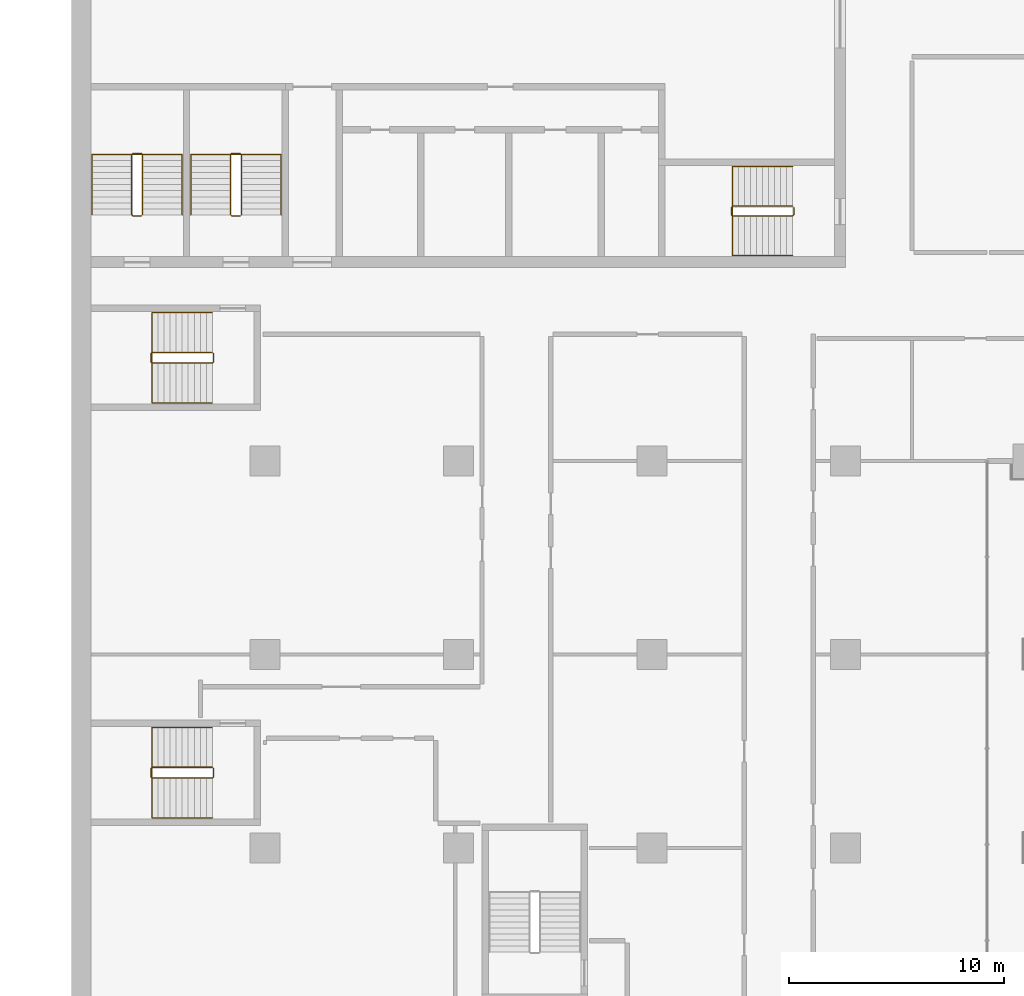
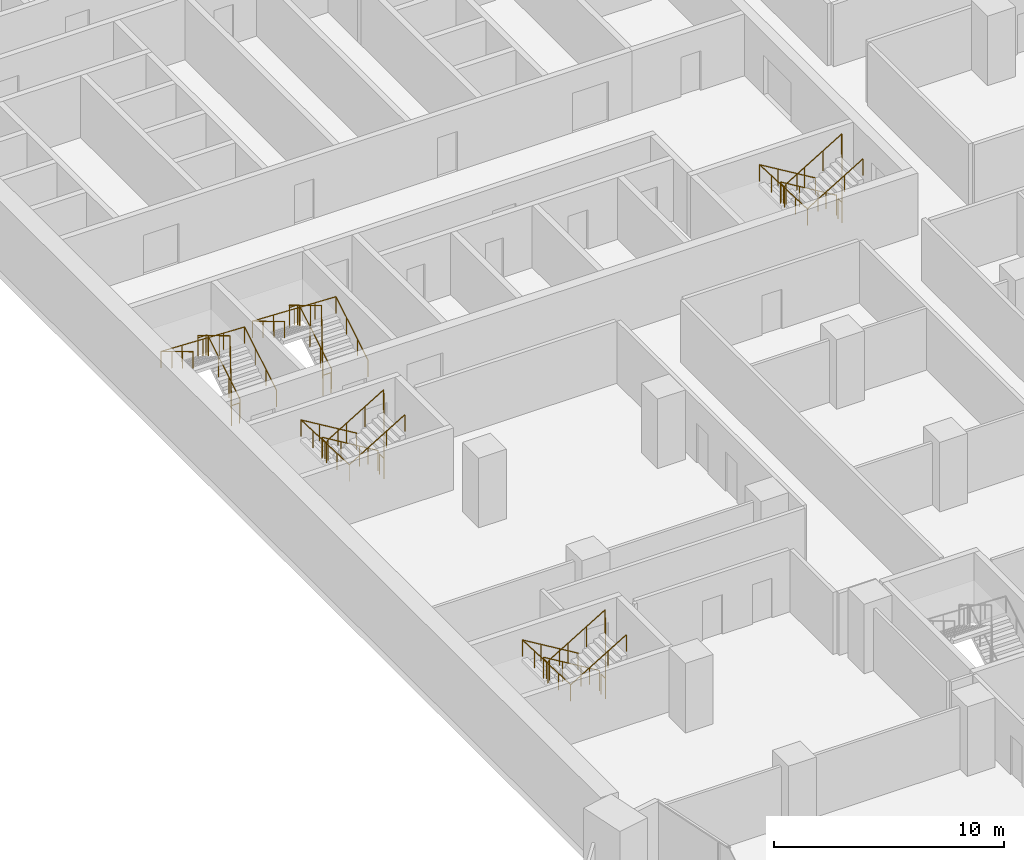
# One storey, part 26 of 29: 10 railings.
"""IFC4 building model written with IfcOpenShell, lengths in metres."""

from ifc_helpers import new_model, si_unit, direction, frame, origin, origin_2d, place, context, subcontext, project, spatial, circle, extrude, material, type_object, element, save


model = new_model("IFC4")

# Units and contexts
model_context = context("Model", 3, precision=1e-05, world=origin(), true_north=direction((0.0, 1.0)))
body_context = subcontext(model_context, "Body", "Model", "MODEL_VIEW")
ifc_project = project(units=[si_unit("LENGTHUNIT", "METRE"), si_unit("AREAUNIT", "SQUARE_METRE"), si_unit("VOLUMEUNIT", "CUBIC_METRE"), si_unit("PLANEANGLEUNIT", "RADIAN"), si_unit("MASSUNIT", "GRAM", prefix="KILO")], contexts=[model_context])

# Site, building, storey
site_placement = place(None, origin())
site = spatial("IfcSite", under=ifc_project, at=site_placement, CompositionType="ELEMENT")
building_placement = place(site_placement, origin())
building = spatial("IfcBuilding", under=site, at=building_placement, Name="Hunhe Ridgeline Campus", CompositionType="ELEMENT")
storey_placement = place(building_placement, frame((0.0, 0.0, 54.300048828125)))
storey = spatial("IfcBuildingStorey", under=building, at=storey_placement, Name="L12", CompositionType="ELEMENT", Elevation=54.300048828125)

# Railings
ifc_material_1 = material(Name="Stainless steel balustrade", Category="steel")
railing_type_1 = type_object("IfcRailingType", Name="Stair guard 1100 stainless", PredefinedType="GUARDRAIL", material=ifc_material_1)
railing_1_placement = place(storey_placement, frame((33.550048828125, 65.85009765625, 0.168212890625)))
element("IfcRailing", 1, at=railing_1_placement, inside=storey, type_object=railing_type_1, Name="L12 stair S2 guard", PredefinedType="GUARDRAIL", context=body_context, shape_type="SweptSolid", body=[
    extrude(circle(Radius=0.02392578125, at=origin_2d()), frame((0.0, 0.0, 1.076171875), z_axis=(-0.857275202839, 0.0, 0.514858452973), x_axis=(0.0, -1.0, 0.0)), (0.0, 0.0, 1.0), 3.26611328125),
    extrude(circle(Radius=0.02392578125, at=origin_2d()), frame((-2.800048828125, 0.0, 2.7578125), z_axis=(-0.707106781187, -0.707106781187, 0.0), x_axis=(0.707106781187, -0.707106781187, 0.0)), (0.0, 0.0, 1.0), 0.07080078125),
    extrude(circle(Radius=0.02392578125, at=origin_2d()), frame((-2.85009765625, -0.050048828125, 2.7578125), z_axis=(0.0, -1.0, 0.0), x_axis=(1.0, 0.0, 0.0)), (0.0, 0.0, 1.0), 0.35009765625),
    extrude(circle(Radius=0.02392578125, at=origin_2d()), frame((-2.85009765625, -0.400146484375, 2.7578125), z_axis=(0.274243871929, -0.274243871929, 0.92172696468), x_axis=(0.707106781187, 0.707106781187, 0.0)), (0.0, 0.0, 1.0), 0.1826171875),
    extrude(circle(Radius=0.02392578125, at=origin_2d()), frame((-2.800048828125, -0.4501953125, 2.92578125), z_axis=(0.857242210791, 0.0, 0.514913383045), x_axis=(0.0, 1.0, 0.0)), (0.0, 0.0, 1.0), 3.266357421875),
    extrude(circle(Radius=0.02392578125, at=origin_2d()), frame((0.0, -0.4501953125, 4.60791015625), z_axis=(0.013524414389, 0.013524414389, -0.999817073484), x_axis=(-0.707106781187, 0.707106781187, 0.0)), (0.0, 0.0, 1.0), 3.70068359375),
    extrude(circle(Radius=0.02392578125, at=origin_2d()), frame((0.050048828125, -0.400146484375, 0.90771484375), z_axis=(0.0, 1.0, 0.0), x_axis=(-1.0, 0.0, 0.0)), (0.0, 0.0, 1.0), 0.35009765625),
    extrude(circle(Radius=0.02099609375, at=origin_2d()), origin(), (0.0, 0.0, 1.0), 1.052001953125),
    extrude(circle(Radius=0.02099609375, at=origin_2d()), frame((-0.933349609375, 0.0, 0.560546875)), (0.0, 0.0, 1.0), 1.052001953125),
    extrude(circle(Radius=0.02099609375, at=origin_2d()), frame((-1.86669921875, 0.0, 1.12109375)), (0.0, 0.0, 1.0), 1.052001953125),
    extrude(circle(Radius=0.02099609375, at=origin_2d()), frame((-2.800048828125, 0.0, 1.681640625)), (0.0, 0.0, 1.0), 1.052001953125),
    extrude(circle(Radius=0.02099609375, at=origin_2d()), frame((-2.85009765625, -0.050048828125, 1.681640625)), (0.0, 0.0, 1.0), 1.052001953125),
    extrude(circle(Radius=0.02099609375, at=origin_2d()), frame((-2.85009765625, -0.400146484375, 1.681640625)), (0.0, 0.0, 1.0), 1.052001953125),
    extrude(circle(Radius=0.02099609375, at=origin_2d()), frame((-2.800048828125, -0.4501953125, 1.849853515625)), (0.0, 0.0, 1.0), 1.052001953125),
    extrude(circle(Radius=0.02099609375, at=origin_2d()), frame((-1.86669921875, -0.4501953125, 2.410400390625)), (0.0, 0.0, 1.0), 1.052001953125),
    extrude(circle(Radius=0.02099609375, at=origin_2d()), frame((-0.933349609375, -0.4501953125, 2.97119140625)), (0.0, 0.0, 1.0), 1.052001953125),
    extrude(circle(Radius=0.02099609375, at=origin_2d()), frame((0.0, -0.4501953125, 3.53173828125)), (0.0, 0.0, 1.0), 1.052001953125),
    extrude(circle(Radius=0.02099609375, at=origin_2d()), frame((0.012451171875, -0.437744140625, 2.606689453125)), (0.0, 0.0, 1.0), 1.052001953125),
    extrude(circle(Radius=0.02099609375, at=origin_2d()), frame((0.02490234375, -0.42529296875, 1.681640625)), (0.0, 0.0, 1.0), 1.052001953125),
    extrude(circle(Radius=0.02099609375, at=origin_2d()), frame((0.03759765625, -0.41259765625, 0.7568359375)), (0.0, 0.0, 1.0), 1.052001953125),
    extrude(circle(Radius=0.02099609375, at=origin_2d()), frame((0.050048828125, -0.400146484375, -0.168212890625)), (0.0, 0.0, 1.0), 1.052001953125),
    extrude(circle(Radius=0.02099609375, at=origin_2d()), frame((0.050048828125, -0.050048828125, -0.168212890625)), (0.0, 0.0, 1.0), 1.052001953125),
])
railing_2_placement = place(storey_placement, frame((3.300048828125, 65.449951171875, 0.168212890625)))
element("IfcRailing", 2, at=railing_2_placement, inside=storey, type_object=railing_type_1, Name="L12 stair S3 guard", PredefinedType="GUARDRAIL", context=body_context, shape_type="SweptSolid", body=[
    extrude(circle(Radius=0.02392578125, at=origin_2d()), frame((0.0, 0.0, 1.076171875), z_axis=(0.0, 0.857275202839, 0.514858452973), x_axis=(-1.0, 0.0, 0.0)), (0.0, 0.0, 1.0), 3.26611328125),
    extrude(circle(Radius=0.02392578125, at=origin_2d()), frame((0.0, 2.800048828125, 2.7578125), z_axis=(-0.707106781187, 0.707106781187, 0.0), x_axis=(-0.707106781187, -0.707106781187, 0.0)), (0.0, 0.0, 1.0), 0.07080078125),
    extrude(circle(Radius=0.02392578125, at=origin_2d()), frame((-0.050048828125, 2.85009765625, 2.7578125), z_axis=(-1.0, 0.0, 0.0), x_axis=(0.0, -1.0, 0.0)), (0.0, 0.0, 1.0), 0.39990234375),
    extrude(circle(Radius=0.02392578125, at=origin_2d()), frame((-0.449951171875, 2.85009765625, 2.7578125), z_axis=(-0.274243871929, -0.274243871929, 0.92172696468), x_axis=(0.707106781187, -0.707106781187, 0.0)), (0.0, 0.0, 1.0), 0.1826171875),
    extrude(circle(Radius=0.02392578125, at=origin_2d()), frame((-0.5, 2.800048828125, 2.92578125), z_axis=(0.0, -0.857242210791, 0.514913383045), x_axis=(1.0, 0.0, 0.0)), (0.0, 0.0, 1.0), 3.266357421875),
    extrude(circle(Radius=0.02392578125, at=origin_2d()), frame((-0.5, 0.0, 4.60791015625), z_axis=(0.013524414389, -0.013524414389, -0.999817073484), x_axis=(0.707106781187, 0.707106781187, 0.0)), (0.0, 0.0, 1.0), 3.70068359375),
    extrude(circle(Radius=0.02392578125, at=origin_2d()), frame((-0.449951171875, -0.050048828125, 0.90771484375), z_axis=(1.0, 0.0, 0.0), x_axis=(0.0, 1.0, 0.0)), (0.0, 0.0, 1.0), 0.39990234375),
    extrude(circle(Radius=0.02099609375, at=origin_2d()), origin(), (0.0, 0.0, 1.0), 1.052001953125),
    extrude(circle(Radius=0.02099609375, at=origin_2d()), frame((0.0, 0.933349609375, 0.560546875)), (0.0, 0.0, 1.0), 1.052001953125),
    extrude(circle(Radius=0.02099609375, at=origin_2d()), frame((0.0, 1.86669921875, 1.12109375)), (0.0, 0.0, 1.0), 1.052001953125),
    extrude(circle(Radius=0.02099609375, at=origin_2d()), frame((0.0, 2.800048828125, 1.681640625)), (0.0, 0.0, 1.0), 1.052001953125),
    extrude(circle(Radius=0.02099609375, at=origin_2d()), frame((-0.050048828125, 2.85009765625, 1.681640625)), (0.0, 0.0, 1.0), 1.052001953125),
    extrude(circle(Radius=0.02099609375, at=origin_2d()), frame((-0.449951171875, 2.85009765625, 1.681640625)), (0.0, 0.0, 1.0), 1.052001953125),
    extrude(circle(Radius=0.02099609375, at=origin_2d()), frame((-0.5, 2.800048828125, 1.849853515625)), (0.0, 0.0, 1.0), 1.052001953125),
    extrude(circle(Radius=0.02099609375, at=origin_2d()), frame((-0.5, 1.86669921875, 2.410400390625)), (0.0, 0.0, 1.0), 1.052001953125),
    extrude(circle(Radius=0.02099609375, at=origin_2d()), frame((-0.5, 0.933349609375, 2.97119140625)), (0.0, 0.0, 1.0), 1.052001953125),
    extrude(circle(Radius=0.02099609375, at=origin_2d()), frame((-0.5, 0.0, 3.53173828125)), (0.0, 0.0, 1.0), 1.052001953125),
    extrude(circle(Radius=0.02099609375, at=origin_2d()), frame((-0.487548828125, -0.012451171875, 2.606689453125)), (0.0, 0.0, 1.0), 1.052001953125),
    extrude(circle(Radius=0.02099609375, at=origin_2d()), frame((-0.47509765625, -0.02490234375, 1.681640625)), (0.0, 0.0, 1.0), 1.052001953125),
    extrude(circle(Radius=0.02099609375, at=origin_2d()), frame((-0.46240234375, -0.03759765625, 0.7568359375)), (0.0, 0.0, 1.0), 1.052001953125),
    extrude(circle(Radius=0.02099609375, at=origin_2d()), frame((-0.449951171875, -0.050048828125, -0.168212890625)), (0.0, 0.0, 1.0), 1.052001953125),
    extrude(circle(Radius=0.02099609375, at=origin_2d()), frame((-0.050048828125, -0.050048828125, -0.168212890625)), (0.0, 0.0, 1.0), 1.052001953125),
])
railing_3_placement = place(storey_placement, frame((7.89990234375, 65.449951171875, 0.168212890625)))
element("IfcRailing", 3, at=railing_3_placement, inside=storey, type_object=railing_type_1, Name="L12 stair S4 guard", PredefinedType="GUARDRAIL", context=body_context, shape_type="SweptSolid", body=[
    extrude(circle(Radius=0.02392578125, at=origin_2d()), frame((0.0, 0.0, 1.076171875), z_axis=(0.0, 0.857275202839, 0.514858452973), x_axis=(-1.0, 0.0, 0.0)), (0.0, 0.0, 1.0), 3.26611328125),
    extrude(circle(Radius=0.02392578125, at=origin_2d()), frame((0.0, 2.800048828125, 2.7578125), z_axis=(-0.705375805398, 0.708833529934, 0.0), x_axis=(-0.708833529934, -0.705375805398, 0.0)), (0.0, 0.0, 1.0), 0.070556640625),
    extrude(circle(Radius=0.02392578125, at=origin_2d()), frame((-0.0498046875, 2.85009765625, 2.7578125), z_axis=(-1.0, 0.0, 0.0), x_axis=(0.0, -1.0, 0.0)), (0.0, 0.0, 1.0), 0.400146484375),
    extrude(circle(Radius=0.02392578125, at=origin_2d()), frame((-0.449951171875, 2.85009765625, 2.7578125), z_axis=(-0.274243871929, -0.274243871929, 0.92172696468), x_axis=(0.707106781187, -0.707106781187, 0.0)), (0.0, 0.0, 1.0), 0.1826171875),
    extrude(circle(Radius=0.02392578125, at=origin_2d()), frame((-0.5, 2.800048828125, 2.92578125), z_axis=(0.0, -0.857242210791, 0.514913383045), x_axis=(1.0, 0.0, 0.0)), (0.0, 0.0, 1.0), 3.266357421875),
    extrude(circle(Radius=0.02392578125, at=origin_2d()), frame((-0.5, 0.0, 4.60791015625), z_axis=(0.013524414389, -0.013524414389, -0.999817073484), x_axis=(0.707106781187, 0.707106781187, 0.0)), (0.0, 0.0, 1.0), 3.70068359375),
    extrude(circle(Radius=0.02392578125, at=origin_2d()), frame((-0.449951171875, -0.050048828125, 0.90771484375), z_axis=(1.0, 0.0, 0.0), x_axis=(0.0, 1.0, 0.0)), (0.0, 0.0, 1.0), 0.400146484375),
    extrude(circle(Radius=0.02099609375, at=origin_2d()), origin(), (0.0, 0.0, 1.0), 1.052001953125),
    extrude(circle(Radius=0.02099609375, at=origin_2d()), frame((0.0, 0.933349609375, 0.560546875)), (0.0, 0.0, 1.0), 1.052001953125),
    extrude(circle(Radius=0.02099609375, at=origin_2d()), frame((0.0, 1.86669921875, 1.12109375)), (0.0, 0.0, 1.0), 1.052001953125),
    extrude(circle(Radius=0.02099609375, at=origin_2d()), frame((0.0, 2.800048828125, 1.681640625)), (0.0, 0.0, 1.0), 1.052001953125),
    extrude(circle(Radius=0.02099609375, at=origin_2d()), frame((-0.0498046875, 2.85009765625, 1.681640625)), (0.0, 0.0, 1.0), 1.052001953125),
    extrude(circle(Radius=0.02099609375, at=origin_2d()), frame((-0.449951171875, 2.85009765625, 1.681640625)), (0.0, 0.0, 1.0), 1.052001953125),
    extrude(circle(Radius=0.02099609375, at=origin_2d()), frame((-0.5, 2.800048828125, 1.849853515625)), (0.0, 0.0, 1.0), 1.052001953125),
    extrude(circle(Radius=0.02099609375, at=origin_2d()), frame((-0.5, 1.86669921875, 2.410400390625)), (0.0, 0.0, 1.0), 1.052001953125),
    extrude(circle(Radius=0.02099609375, at=origin_2d()), frame((-0.5, 0.933349609375, 2.97119140625)), (0.0, 0.0, 1.0), 1.052001953125),
    extrude(circle(Radius=0.02099609375, at=origin_2d()), frame((-0.5, 0.0, 3.53173828125)), (0.0, 0.0, 1.0), 1.052001953125),
    extrude(circle(Radius=0.02099609375, at=origin_2d()), frame((-0.487548828125, -0.012451171875, 2.606689453125)), (0.0, 0.0, 1.0), 1.052001953125),
    extrude(circle(Radius=0.02099609375, at=origin_2d()), frame((-0.47509765625, -0.02490234375, 1.681640625)), (0.0, 0.0, 1.0), 1.052001953125),
    extrude(circle(Radius=0.02099609375, at=origin_2d()), frame((-0.46240234375, -0.03759765625, 0.7568359375)), (0.0, 0.0, 1.0), 1.052001953125),
    extrude(circle(Radius=0.02099609375, at=origin_2d()), frame((-0.449951171875, -0.050048828125, -0.168212890625)), (0.0, 0.0, 1.0), 1.052001953125),
    extrude(circle(Radius=0.02099609375, at=origin_2d()), frame((-0.0498046875, -0.050048828125, -0.168212890625)), (0.0, 0.0, 1.0), 1.052001953125),
])
railing_4_placement = place(storey_placement, frame((6.550048828125, 39.75, 0.168212890625)))
element("IfcRailing", 4, at=railing_4_placement, inside=storey, type_object=railing_type_1, Name="L12 stair W1 guard", PredefinedType="GUARDRAIL", context=body_context, shape_type="SweptSolid", body=[
    extrude(circle(Radius=0.02392578125, at=origin_2d()), frame((0.0, 0.0, 1.076171875), z_axis=(-0.857275202839, 0.0, 0.514858452973), x_axis=(0.0, -1.0, 0.0)), (0.0, 0.0, 1.0), 3.26611328125),
    extrude(circle(Radius=0.02392578125, at=origin_2d()), frame((-2.800048828125, 0.0, 2.7578125), z_axis=(-0.707106781187, -0.707106781187, 0.0), x_axis=(0.707106781187, -0.707106781187, 0.0)), (0.0, 0.0, 1.0), 0.07080078125),
    extrude(circle(Radius=0.02392578125, at=origin_2d()), frame((-2.85009765625, -0.050048828125, 2.7578125), z_axis=(0.0, -1.0, 0.0), x_axis=(1.0, 0.0, 0.0)), (0.0, 0.0, 1.0), 0.39990234375),
    extrude(circle(Radius=0.02392578125, at=origin_2d()), frame((-2.85009765625, -0.449951171875, 2.7578125), z_axis=(0.274243871929, -0.274243871929, 0.92172696468), x_axis=(0.707106781187, 0.707106781187, 0.0)), (0.0, 0.0, 1.0), 0.1826171875),
    extrude(circle(Radius=0.02392578125, at=origin_2d()), frame((-2.800048828125, -0.5, 2.92578125), z_axis=(0.857242210791, 0.0, 0.514913383045), x_axis=(0.0, 1.0, 0.0)), (0.0, 0.0, 1.0), 3.266357421875),
    extrude(circle(Radius=0.02392578125, at=origin_2d()), frame((0.0, -0.5, 4.60791015625), z_axis=(0.013524414389, 0.013524414389, -0.999817073484), x_axis=(-0.707106781187, 0.707106781187, 0.0)), (0.0, 0.0, 1.0), 3.70068359375),
    extrude(circle(Radius=0.02392578125, at=origin_2d()), frame((0.050048828125, -0.449951171875, 0.90771484375), z_axis=(0.0, 1.0, 0.0), x_axis=(-1.0, 0.0, 0.0)), (0.0, 0.0, 1.0), 0.39990234375),
    extrude(circle(Radius=0.02099609375, at=origin_2d()), origin(), (0.0, 0.0, 1.0), 1.052001953125),
    extrude(circle(Radius=0.02099609375, at=origin_2d()), frame((-0.933349609375, 0.0, 0.560546875)), (0.0, 0.0, 1.0), 1.052001953125),
    extrude(circle(Radius=0.02099609375, at=origin_2d()), frame((-1.86669921875, 0.0, 1.12109375)), (0.0, 0.0, 1.0), 1.052001953125),
    extrude(circle(Radius=0.02099609375, at=origin_2d()), frame((-2.800048828125, 0.0, 1.681640625)), (0.0, 0.0, 1.0), 1.052001953125),
    extrude(circle(Radius=0.02099609375, at=origin_2d()), frame((-2.85009765625, -0.050048828125, 1.681640625)), (0.0, 0.0, 1.0), 1.052001953125),
    extrude(circle(Radius=0.02099609375, at=origin_2d()), frame((-2.85009765625, -0.449951171875, 1.681640625)), (0.0, 0.0, 1.0), 1.052001953125),
    extrude(circle(Radius=0.02099609375, at=origin_2d()), frame((-2.800048828125, -0.5, 1.849853515625)), (0.0, 0.0, 1.0), 1.052001953125),
    extrude(circle(Radius=0.02099609375, at=origin_2d()), frame((-1.86669921875, -0.5, 2.410400390625)), (0.0, 0.0, 1.0), 1.052001953125),
    extrude(circle(Radius=0.02099609375, at=origin_2d()), frame((-0.933349609375, -0.5, 2.97119140625)), (0.0, 0.0, 1.0), 1.052001953125),
    extrude(circle(Radius=0.02099609375, at=origin_2d()), frame((0.0, -0.5, 3.53173828125)), (0.0, 0.0, 1.0), 1.052001953125),
    extrude(circle(Radius=0.02099609375, at=origin_2d()), frame((0.012451171875, -0.487548828125, 2.606689453125)), (0.0, 0.0, 1.0), 1.052001953125),
    extrude(circle(Radius=0.02099609375, at=origin_2d()), frame((0.02490234375, -0.47509765625, 1.681640625)), (0.0, 0.0, 1.0), 1.052001953125),
    extrude(circle(Radius=0.02099609375, at=origin_2d()), frame((0.03759765625, -0.46240234375, 0.7568359375)), (0.0, 0.0, 1.0), 1.052001953125),
    extrude(circle(Radius=0.02099609375, at=origin_2d()), frame((0.050048828125, -0.449951171875, -0.168212890625)), (0.0, 0.0, 1.0), 1.052001953125),
    extrude(circle(Radius=0.02099609375, at=origin_2d()), frame((0.050048828125, -0.050048828125, -0.168212890625)), (0.0, 0.0, 1.0), 1.052001953125),
])
railing_5_placement = place(storey_placement, frame((6.550048828125, 59.050048828125, 0.168212890625)))
element("IfcRailing", 5, at=railing_5_placement, inside=storey, type_object=railing_type_1, Name="L12 stair W2 guard", PredefinedType="GUARDRAIL", context=body_context, shape_type="SweptSolid", body=[
    extrude(circle(Radius=0.02392578125, at=origin_2d()), frame((0.0, 0.0, 1.076171875), z_axis=(-0.857275202839, 0.0, 0.514858452973), x_axis=(0.0, -1.0, 0.0)), (0.0, 0.0, 1.0), 3.26611328125),
    extrude(circle(Radius=0.02392578125, at=origin_2d()), frame((-2.800048828125, 0.0, 2.7578125), z_axis=(-0.707106781187, -0.707106781187, 0.0), x_axis=(0.707106781187, -0.707106781187, 0.0)), (0.0, 0.0, 1.0), 0.07080078125),
    extrude(circle(Radius=0.02392578125, at=origin_2d()), frame((-2.85009765625, -0.050048828125, 2.7578125), z_axis=(0.0, -1.0, 0.0), x_axis=(1.0, 0.0, 0.0)), (0.0, 0.0, 1.0), 0.39990234375),
    extrude(circle(Radius=0.02392578125, at=origin_2d()), frame((-2.85009765625, -0.449951171875, 2.7578125), z_axis=(0.274243871929, -0.274243871929, 0.92172696468), x_axis=(0.707106781187, 0.707106781187, 0.0)), (0.0, 0.0, 1.0), 0.1826171875),
    extrude(circle(Radius=0.02392578125, at=origin_2d()), frame((-2.800048828125, -0.5, 2.92578125), z_axis=(0.857242210791, 0.0, 0.514913383045), x_axis=(0.0, 1.0, 0.0)), (0.0, 0.0, 1.0), 3.266357421875),
    extrude(circle(Radius=0.02392578125, at=origin_2d()), frame((0.0, -0.5, 4.60791015625), z_axis=(0.013524414389, 0.013524414389, -0.999817073484), x_axis=(-0.707106781187, 0.707106781187, 0.0)), (0.0, 0.0, 1.0), 3.70068359375),
    extrude(circle(Radius=0.02392578125, at=origin_2d()), frame((0.050048828125, -0.449951171875, 0.90771484375), z_axis=(0.0, 1.0, 0.0), x_axis=(-1.0, 0.0, 0.0)), (0.0, 0.0, 1.0), 0.39990234375),
    extrude(circle(Radius=0.02099609375, at=origin_2d()), origin(), (0.0, 0.0, 1.0), 1.052001953125),
    extrude(circle(Radius=0.02099609375, at=origin_2d()), frame((-0.933349609375, 0.0, 0.560546875)), (0.0, 0.0, 1.0), 1.052001953125),
    extrude(circle(Radius=0.02099609375, at=origin_2d()), frame((-1.86669921875, 0.0, 1.12109375)), (0.0, 0.0, 1.0), 1.052001953125),
    extrude(circle(Radius=0.02099609375, at=origin_2d()), frame((-2.800048828125, 0.0, 1.681640625)), (0.0, 0.0, 1.0), 1.052001953125),
    extrude(circle(Radius=0.02099609375, at=origin_2d()), frame((-2.85009765625, -0.050048828125, 1.681640625)), (0.0, 0.0, 1.0), 1.052001953125),
    extrude(circle(Radius=0.02099609375, at=origin_2d()), frame((-2.85009765625, -0.449951171875, 1.681640625)), (0.0, 0.0, 1.0), 1.052001953125),
    extrude(circle(Radius=0.02099609375, at=origin_2d()), frame((-2.800048828125, -0.5, 1.849853515625)), (0.0, 0.0, 1.0), 1.052001953125),
    extrude(circle(Radius=0.02099609375, at=origin_2d()), frame((-1.86669921875, -0.5, 2.410400390625)), (0.0, 0.0, 1.0), 1.052001953125),
    extrude(circle(Radius=0.02099609375, at=origin_2d()), frame((-0.933349609375, -0.5, 2.97119140625)), (0.0, 0.0, 1.0), 1.052001953125),
    extrude(circle(Radius=0.02099609375, at=origin_2d()), frame((0.0, -0.5, 3.53173828125)), (0.0, 0.0, 1.0), 1.052001953125),
    extrude(circle(Radius=0.02099609375, at=origin_2d()), frame((0.012451171875, -0.487548828125, 2.606689453125)), (0.0, 0.0, 1.0), 1.052001953125),
    extrude(circle(Radius=0.02099609375, at=origin_2d()), frame((0.02490234375, -0.47509765625, 1.681640625)), (0.0, 0.0, 1.0), 1.052001953125),
    extrude(circle(Radius=0.02099609375, at=origin_2d()), frame((0.03759765625, -0.46240234375, 0.7568359375)), (0.0, 0.0, 1.0), 1.052001953125),
    extrude(circle(Radius=0.02099609375, at=origin_2d()), frame((0.050048828125, -0.449951171875, -0.168212890625)), (0.0, 0.0, 1.0), 1.052001953125),
    extrude(circle(Radius=0.02099609375, at=origin_2d()), frame((0.050048828125, -0.050048828125, -0.168212890625)), (0.0, 0.0, 1.0), 1.052001953125),
])
ifc_material_2 = material(Name="Stainless steel handrail", Category="steel")
railing_type_2 = type_object("IfcRailingType", Name="Stair handrail 900 stainless", PredefinedType="HANDRAIL", material=ifc_material_2)
railing_6_placement = place(storey_placement, frame((33.550048828125, 67.699951171875, 0.168212890625)))
element("IfcRailing", 6, at=railing_6_placement, inside=storey, type_object=railing_type_2, Name="L12 stair S2 handrail", PredefinedType="HANDRAIL", context=body_context, shape_type="SweptSolid", body=[
    extrude(circle(Radius=0.02392578125, at=origin_2d()), frame((0.0, 0.0, 0.8759765625), z_axis=(-0.857275202839, 0.0, 0.514858452973), x_axis=(0.0, -1.0, 0.0)), (0.0, 0.0, 1.0), 3.26611328125),
    extrude(circle(Radius=0.02392578125, at=origin_2d()), frame((-2.800048828125, 0.0, 2.5576171875), z_axis=(0.0, -0.99917950104, 0.040500922239), x_axis=(1.0, 0.0, 0.0)), (0.0, 0.0, 1.0), 4.1533203125),
    extrude(circle(Radius=0.02392578125, at=origin_2d()), frame((-2.800048828125, -4.14990234375, 2.7255859375), z_axis=(0.857242210791, 0.0, 0.514913383045), x_axis=(0.0, 1.0, 0.0)), (0.0, 0.0, 1.0), 3.266357421875),
    extrude(circle(Radius=0.02099609375, at=origin_2d()), origin(), (0.0, 0.0, 1.0), 0.851806640625),
    extrude(circle(Radius=0.02099609375, at=origin_2d()), frame((-0.933349609375, 0.0, 0.560546875)), (0.0, 0.0, 1.0), 0.851806640625),
    extrude(circle(Radius=0.02099609375, at=origin_2d()), frame((-1.86669921875, 0.0, 1.12109375)), (0.0, 0.0, 1.0), 0.851806640625),
    extrude(circle(Radius=0.02099609375, at=origin_2d()), frame((-2.800048828125, 0.0, 1.681640625)), (0.0, 0.0, 1.0), 0.851806640625),
    extrude(circle(Radius=0.02099609375, at=origin_2d()), frame((-2.800048828125, -1.03759765625, 1.7236328125)), (0.0, 0.0, 1.0), 0.851806640625),
    extrude(circle(Radius=0.02099609375, at=origin_2d()), frame((-2.800048828125, -2.074951171875, 1.765625)), (0.0, 0.0, 1.0), 0.851806640625),
    extrude(circle(Radius=0.02099609375, at=origin_2d()), frame((-2.800048828125, -3.1123046875, 1.807861328125)), (0.0, 0.0, 1.0), 0.851806640625),
    extrude(circle(Radius=0.02099609375, at=origin_2d()), frame((-2.800048828125, -4.14990234375, 1.849853515625)), (0.0, 0.0, 1.0), 0.851806640625),
    extrude(circle(Radius=0.02099609375, at=origin_2d()), frame((-1.86669921875, -4.14990234375, 2.410400390625)), (0.0, 0.0, 1.0), 0.851806640625),
    extrude(circle(Radius=0.02099609375, at=origin_2d()), frame((-0.933349609375, -4.14990234375, 2.97119140625)), (0.0, 0.0, 1.0), 0.851806640625),
    extrude(circle(Radius=0.02099609375, at=origin_2d()), frame((0.0, -4.14990234375, 3.53173828125)), (0.0, 0.0, 1.0), 0.851806640625),
])
railing_7_placement = place(storey_placement, frame((5.14990234375, 65.449951171875, 0.168212890625)))
element("IfcRailing", 7, at=railing_7_placement, inside=storey, type_object=railing_type_2, Name="L12 stair S3 handrail", PredefinedType="HANDRAIL", context=body_context, shape_type="SweptSolid", body=[
    extrude(circle(Radius=0.02392578125, at=origin_2d()), frame((0.0, 0.0, 0.8759765625), z_axis=(0.0, 0.857275202839, 0.514858452973), x_axis=(-1.0, 0.0, 0.0)), (0.0, 0.0, 1.0), 3.26611328125),
    extrude(circle(Radius=0.02392578125, at=origin_2d()), frame((0.0, 2.800048828125, 2.5576171875), z_axis=(-0.999198916169, 0.0, 0.040019069537), x_axis=(0.0, -1.0, 0.0)), (0.0, 0.0, 1.0), 4.203369140625),
    extrude(circle(Radius=0.02392578125, at=origin_2d()), frame((-4.199951171875, 2.800048828125, 2.7255859375), z_axis=(0.0, -0.857242210791, 0.514913383045), x_axis=(1.0, 0.0, 0.0)), (0.0, 0.0, 1.0), 3.266357421875),
    extrude(circle(Radius=0.02099609375, at=origin_2d()), origin(), (0.0, 0.0, 1.0), 0.851806640625),
    extrude(circle(Radius=0.02099609375, at=origin_2d()), frame((0.0, 0.933349609375, 0.560546875)), (0.0, 0.0, 1.0), 0.851806640625),
    extrude(circle(Radius=0.02099609375, at=origin_2d()), frame((0.0, 1.86669921875, 1.12109375)), (0.0, 0.0, 1.0), 0.851806640625),
    extrude(circle(Radius=0.02099609375, at=origin_2d()), frame((0.0, 2.800048828125, 1.681640625)), (0.0, 0.0, 1.0), 0.851806640625),
    extrude(circle(Radius=0.02099609375, at=origin_2d()), frame((-1.050048828125, 2.800048828125, 1.7236328125)), (0.0, 0.0, 1.0), 0.851806640625),
    extrude(circle(Radius=0.02099609375, at=origin_2d()), frame((-2.10009765625, 2.800048828125, 1.765625)), (0.0, 0.0, 1.0), 0.851806640625),
    extrude(circle(Radius=0.02099609375, at=origin_2d()), frame((-3.14990234375, 2.800048828125, 1.807861328125)), (0.0, 0.0, 1.0), 0.851806640625),
    extrude(circle(Radius=0.02099609375, at=origin_2d()), frame((-4.199951171875, 2.800048828125, 1.849853515625)), (0.0, 0.0, 1.0), 0.851806640625),
    extrude(circle(Radius=0.02099609375, at=origin_2d()), frame((-4.199951171875, 1.86669921875, 2.410400390625)), (0.0, 0.0, 1.0), 0.851806640625),
    extrude(circle(Radius=0.02099609375, at=origin_2d()), frame((-4.199951171875, 0.933349609375, 2.97119140625)), (0.0, 0.0, 1.0), 0.851806640625),
    extrude(circle(Radius=0.02099609375, at=origin_2d()), frame((-4.199951171875, 0.0, 3.53173828125)), (0.0, 0.0, 1.0), 0.851806640625),
])
railing_8_placement = place(storey_placement, frame((9.75, 65.449951171875, 0.168212890625)))
element("IfcRailing", 8, at=railing_8_placement, inside=storey, type_object=railing_type_2, Name="L12 stair S4 handrail", PredefinedType="HANDRAIL", context=body_context, shape_type="SweptSolid", body=[
    extrude(circle(Radius=0.02392578125, at=origin_2d()), frame((0.0, 0.0, 0.8759765625), z_axis=(0.0, 0.857275202839, 0.514858452973), x_axis=(-1.0, 0.0, 0.0)), (0.0, 0.0, 1.0), 3.26611328125),
    extrude(circle(Radius=0.02392578125, at=origin_2d()), frame((0.0, 2.800048828125, 2.5576171875), z_axis=(-0.999198916169, 0.0, 0.040019069537), x_axis=(0.0, -1.0, 0.0)), (0.0, 0.0, 1.0), 4.203369140625),
    extrude(circle(Radius=0.02392578125, at=origin_2d()), frame((-4.199951171875, 2.800048828125, 2.7255859375), z_axis=(0.0, -0.857242210791, 0.514913383045), x_axis=(1.0, 0.0, 0.0)), (0.0, 0.0, 1.0), 3.266357421875),
    extrude(circle(Radius=0.02099609375, at=origin_2d()), origin(), (0.0, 0.0, 1.0), 0.851806640625),
    extrude(circle(Radius=0.02099609375, at=origin_2d()), frame((0.0, 0.933349609375, 0.560546875)), (0.0, 0.0, 1.0), 0.851806640625),
    extrude(circle(Radius=0.02099609375, at=origin_2d()), frame((0.0, 1.86669921875, 1.12109375)), (0.0, 0.0, 1.0), 0.851806640625),
    extrude(circle(Radius=0.02099609375, at=origin_2d()), frame((0.0, 2.800048828125, 1.681640625)), (0.0, 0.0, 1.0), 0.851806640625),
    extrude(circle(Radius=0.02099609375, at=origin_2d()), frame((-1.050048828125, 2.800048828125, 1.7236328125)), (0.0, 0.0, 1.0), 0.851806640625),
    extrude(circle(Radius=0.02099609375, at=origin_2d()), frame((-2.10009765625, 2.800048828125, 1.765625)), (0.0, 0.0, 1.0), 0.851806640625),
    extrude(circle(Radius=0.02099609375, at=origin_2d()), frame((-3.14990234375, 2.800048828125, 1.807861328125)), (0.0, 0.0, 1.0), 0.851806640625),
    extrude(circle(Radius=0.02099609375, at=origin_2d()), frame((-4.199951171875, 2.800048828125, 1.849853515625)), (0.0, 0.0, 1.0), 0.851806640625),
    extrude(circle(Radius=0.02099609375, at=origin_2d()), frame((-4.199951171875, 1.86669921875, 2.410400390625)), (0.0, 0.0, 1.0), 0.851806640625),
    extrude(circle(Radius=0.02099609375, at=origin_2d()), frame((-4.199951171875, 0.933349609375, 2.97119140625)), (0.0, 0.0, 1.0), 0.851806640625),
    extrude(circle(Radius=0.02099609375, at=origin_2d()), frame((-4.199951171875, 0.0, 3.53173828125)), (0.0, 0.0, 1.0), 0.851806640625),
])
railing_9_placement = place(storey_placement, frame((6.550048828125, 41.60009765625, 0.168212890625)))
element("IfcRailing", 9, at=railing_9_placement, inside=storey, type_object=railing_type_2, Name="L12 stair W1 handrail", PredefinedType="HANDRAIL", context=body_context, shape_type="SweptSolid", body=[
    extrude(circle(Radius=0.02392578125, at=origin_2d()), frame((0.0, 0.0, 0.8759765625), z_axis=(-0.857275202839, 0.0, 0.514858452973), x_axis=(0.0, -1.0, 0.0)), (0.0, 0.0, 1.0), 3.26611328125),
    extrude(circle(Radius=0.02392578125, at=origin_2d()), frame((-2.800048828125, 0.0, 2.5576171875), z_axis=(0.0, -0.999199009182, 0.040016747113), x_axis=(1.0, 0.0, 0.0)), (0.0, 0.0, 1.0), 4.20361328125),
    extrude(circle(Radius=0.02392578125, at=origin_2d()), frame((-2.800048828125, -4.2001953125, 2.7255859375), z_axis=(0.857242210791, 0.0, 0.514913383045), x_axis=(0.0, 1.0, 0.0)), (0.0, 0.0, 1.0), 3.266357421875),
    extrude(circle(Radius=0.02099609375, at=origin_2d()), origin(), (0.0, 0.0, 1.0), 0.851806640625),
    extrude(circle(Radius=0.02099609375, at=origin_2d()), frame((-0.933349609375, 0.0, 0.560546875)), (0.0, 0.0, 1.0), 0.851806640625),
    extrude(circle(Radius=0.02099609375, at=origin_2d()), frame((-1.86669921875, 0.0, 1.12109375)), (0.0, 0.0, 1.0), 0.851806640625),
    extrude(circle(Radius=0.02099609375, at=origin_2d()), frame((-2.800048828125, 0.0, 1.681640625)), (0.0, 0.0, 1.0), 0.851806640625),
    extrude(circle(Radius=0.02099609375, at=origin_2d()), frame((-2.800048828125, -1.050048828125, 1.7236328125)), (0.0, 0.0, 1.0), 0.851806640625),
    extrude(circle(Radius=0.02099609375, at=origin_2d()), frame((-2.800048828125, -2.10009765625, 1.765625)), (0.0, 0.0, 1.0), 0.851806640625),
    extrude(circle(Radius=0.02099609375, at=origin_2d()), frame((-2.800048828125, -3.150146484375, 1.807861328125)), (0.0, 0.0, 1.0), 0.851806640625),
    extrude(circle(Radius=0.02099609375, at=origin_2d()), frame((-2.800048828125, -4.2001953125, 1.849853515625)), (0.0, 0.0, 1.0), 0.851806640625),
    extrude(circle(Radius=0.02099609375, at=origin_2d()), frame((-1.86669921875, -4.2001953125, 2.410400390625)), (0.0, 0.0, 1.0), 0.851806640625),
    extrude(circle(Radius=0.02099609375, at=origin_2d()), frame((-0.933349609375, -4.2001953125, 2.97119140625)), (0.0, 0.0, 1.0), 0.851806640625),
    extrude(circle(Radius=0.02099609375, at=origin_2d()), frame((0.0, -4.2001953125, 3.53173828125)), (0.0, 0.0, 1.0), 0.851806640625),
])
railing_10_placement = place(storey_placement, frame((6.550048828125, 60.89990234375, 0.168212890625)))
element("IfcRailing", 10, at=railing_10_placement, inside=storey, type_object=railing_type_2, Name="L12 stair W2 handrail", PredefinedType="HANDRAIL", context=body_context, shape_type="SweptSolid", body=[
    extrude(circle(Radius=0.02392578125, at=origin_2d()), frame((0.0, 0.0, 0.8759765625), z_axis=(-0.857275202839, 0.0, 0.514858452973), x_axis=(0.0, -1.0, 0.0)), (0.0, 0.0, 1.0), 3.26611328125),
    extrude(circle(Radius=0.02392578125, at=origin_2d()), frame((-2.800048828125, 0.0, 2.5576171875), z_axis=(0.0, -0.999198916169, 0.040019069537), x_axis=(1.0, 0.0, 0.0)), (0.0, 0.0, 1.0), 4.203369140625),
    extrude(circle(Radius=0.02392578125, at=origin_2d()), frame((-2.800048828125, -4.199951171875, 2.7255859375), z_axis=(0.857242210791, 0.0, 0.514913383045), x_axis=(0.0, 1.0, 0.0)), (0.0, 0.0, 1.0), 3.266357421875),
    extrude(circle(Radius=0.02099609375, at=origin_2d()), origin(), (0.0, 0.0, 1.0), 0.851806640625),
    extrude(circle(Radius=0.02099609375, at=origin_2d()), frame((-0.933349609375, 0.0, 0.560546875)), (0.0, 0.0, 1.0), 0.851806640625),
    extrude(circle(Radius=0.02099609375, at=origin_2d()), frame((-1.86669921875, 0.0, 1.12109375)), (0.0, 0.0, 1.0), 0.851806640625),
    extrude(circle(Radius=0.02099609375, at=origin_2d()), frame((-2.800048828125, 0.0, 1.681640625)), (0.0, 0.0, 1.0), 0.851806640625),
    extrude(circle(Radius=0.02099609375, at=origin_2d()), frame((-2.800048828125, -1.050048828125, 1.7236328125)), (0.0, 0.0, 1.0), 0.851806640625),
    extrude(circle(Radius=0.02099609375, at=origin_2d()), frame((-2.800048828125, -2.10009765625, 1.765625)), (0.0, 0.0, 1.0), 0.851806640625),
    extrude(circle(Radius=0.02099609375, at=origin_2d()), frame((-2.800048828125, -3.14990234375, 1.807861328125)), (0.0, 0.0, 1.0), 0.851806640625),
    extrude(circle(Radius=0.02099609375, at=origin_2d()), frame((-2.800048828125, -4.199951171875, 1.849853515625)), (0.0, 0.0, 1.0), 0.851806640625),
    extrude(circle(Radius=0.02099609375, at=origin_2d()), frame((-1.86669921875, -4.199951171875, 2.410400390625)), (0.0, 0.0, 1.0), 0.851806640625),
    extrude(circle(Radius=0.02099609375, at=origin_2d()), frame((-0.933349609375, -4.199951171875, 2.97119140625)), (0.0, 0.0, 1.0), 0.851806640625),
    extrude(circle(Radius=0.02099609375, at=origin_2d()), frame((0.0, -4.199951171875, 3.53173828125)), (0.0, 0.0, 1.0), 0.851806640625),
])

save(model, "model.ifc")
